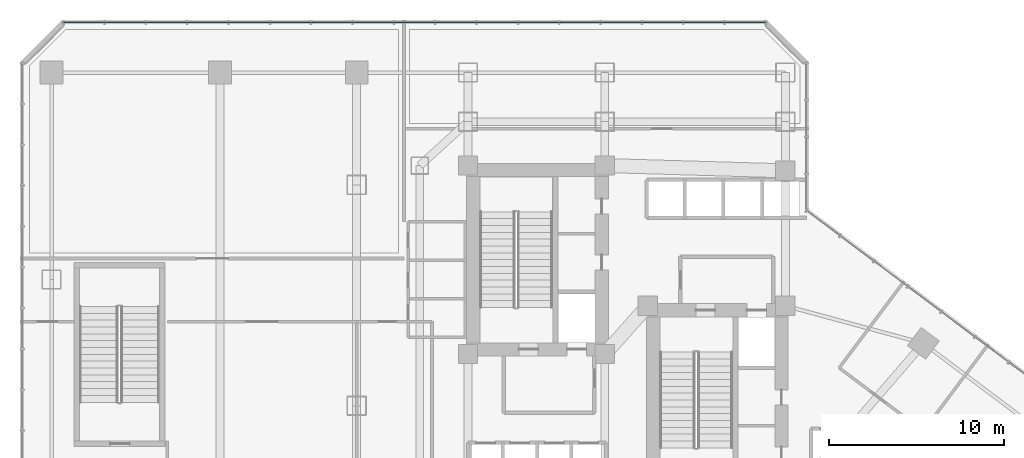
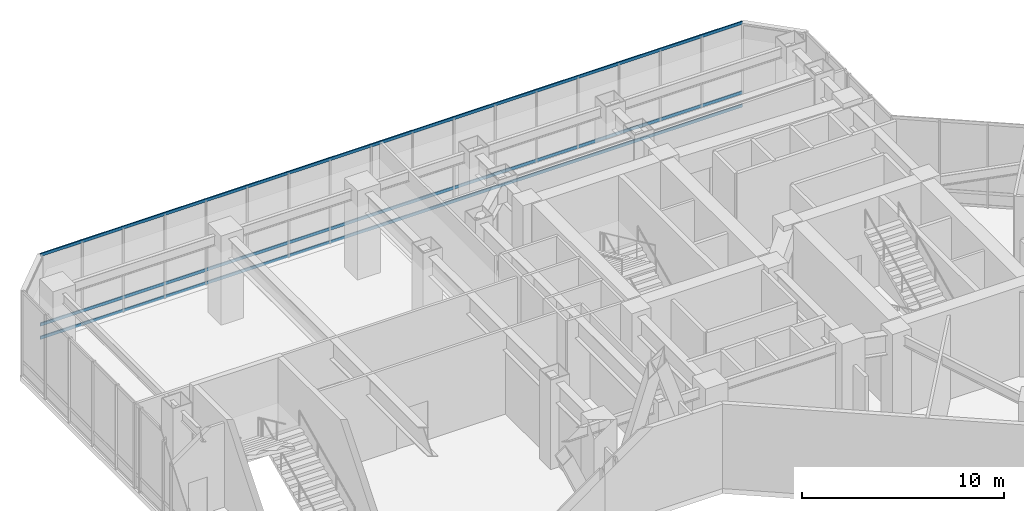
# One storey, part 17 of 35: 3 members, 1 element without a shape of its own.
"""IFC4 building model written with IfcOpenShell, lengths in metres."""

from ifc_helpers import new_model, si_unit, direction, frame, origin, origin_2d, place, context, subcontext, project, spatial, hollow_rectangle, extrude, material, layer, layer_set, material_profile, profile_set, type_object, element, aggregate, save


model = new_model("IFC4")

# Units and contexts
model_context = context("Model", 3, precision=1e-05, world=origin(), true_north=direction((0.0, 1.0)))
body_context = subcontext(model_context, "Body", "Model", "MODEL_VIEW")
ifc_project = project(units=[si_unit("LENGTHUNIT", "METRE"), si_unit("AREAUNIT", "SQUARE_METRE"), si_unit("VOLUMEUNIT", "CUBIC_METRE"), si_unit("PLANEANGLEUNIT", "RADIAN"), si_unit("MASSUNIT", "GRAM", prefix="KILO")], contexts=[model_context])

# Site, building, storey
site_placement = place(None, origin())
site = spatial("IfcSite", under=ifc_project, at=site_placement, CompositionType="ELEMENT")
building_placement = place(site_placement, origin())
building = spatial("IfcBuilding", under=site, at=building_placement, Name="Hatsunagi Terrace Concourse", CompositionType="ELEMENT")
storey_placement = place(building_placement, frame((0.0, 0.0, 5.39990234375)))
storey = spatial("IfcBuildingStorey", under=building, at=storey_placement, Name="L02", CompositionType="ELEMENT", Elevation=5.39990234375)

# Curtain wall, members
ifc_material_1 = material(Name="Anodised Aluminium Alloy 6063-T5", Category="aluminium")
ifc_layer = layer(ifc_material_1, 0.199951171875)
ifc_layer_set = layer_set([ifc_layer], Name="PodiumStorefront_CW01")
curtain_wall_type = type_object("IfcCurtainWallType", Name="PodiumStorefront_CW01", PredefinedType="NOTDEFINED", material=ifc_layer_set)
curtain_wall_placement = place(storey_placement, origin())
curtain_wall = element("IfcCurtainWall", 1, at=curtain_wall_placement, inside=storey, type_object=curtain_wall_type, Name="Unitised Curtain Wall CW-01 CW-L02-12", PredefinedType="NOTDEFINED")
ifc_material_2 = material(Name="Anodised Aluminium Alloy 6063-T5", Category="aluminium")
ifc_material_profile = material_profile(ifc_material_2, hollow_rectangle(XDim=0.070068359375, YDim=0.179931640625, WallThickness=0.00390625, at=origin_2d()), Name="ALU-TRN-180x70x4")
ifc_profile_set = profile_set([ifc_material_profile], Name="Anodised Aluminium Alloy 6063-T5")
member_type = type_object("IfcMemberType", Name="CurtainWallTransom_Heavy_180x70", PredefinedType="USERDEFINED", material=ifc_profile_set)
member_1_placement = place(storey_placement, frame((2.4580078125, 51.4599609375, 0.050048828125), z_axis=(1.0, 0.0, 0.0), x_axis=(0.0, 1.0, 0.0)))
member_1 = element("IfcMember", 2, at=member_1_placement, type_object=member_type, Name="Curtain Wall Transom TRN-01", ObjectType="TRANSOM", PredefinedType="USERDEFINED", context=body_context, shape_type="SweptSolid", body=[
    extrude(hollow_rectangle(XDim=0.070068359375, YDim=0.179931640625, WallThickness=0.00390625, at=origin_2d()), origin(), (0.0, 0.0, 1.0), 40.083984375),
])
member_2_placement = place(storey_placement, frame((2.4580078125, 51.4599609375, 0.85009765625), z_axis=(1.0, 0.0, 0.0), x_axis=(0.0, 1.0, 0.0)))
member_2 = element("IfcMember", 3, at=member_2_placement, type_object=member_type, Name="Curtain Wall Transom TRN-01", ObjectType="TRANSOM", PredefinedType="USERDEFINED", context=body_context, shape_type="SweptSolid", body=[
    extrude(hollow_rectangle(XDim=0.070068359375, YDim=0.179931640625, WallThickness=0.00390625, at=origin_2d()), origin(), (0.0, 0.0, 1.0), 40.083984375),
])
member_3_placement = place(storey_placement, frame((2.4580078125, 51.4599609375, 5.050048828125), z_axis=(1.0, 0.0, 0.0), x_axis=(0.0, 1.0, 0.0)))
member_3 = element("IfcMember", 4, at=member_3_placement, type_object=member_type, Name="Curtain Wall Transom TRN-01", ObjectType="TRANSOM", PredefinedType="USERDEFINED", context=body_context, shape_type="SweptSolid", body=[
    extrude(hollow_rectangle(XDim=0.070068359375, YDim=0.179931640625, WallThickness=0.00390625, at=origin_2d()), origin(), (0.0, 0.0, 1.0), 40.083984375),
])
aggregate(curtain_wall, [member_1, member_2, member_3])

save(model, "model.ifc")
